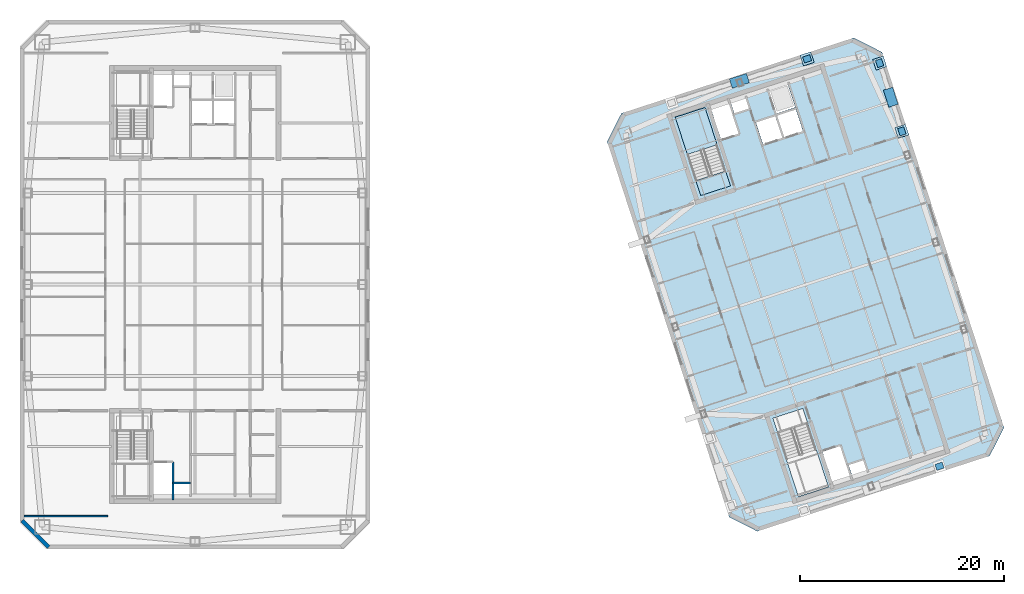
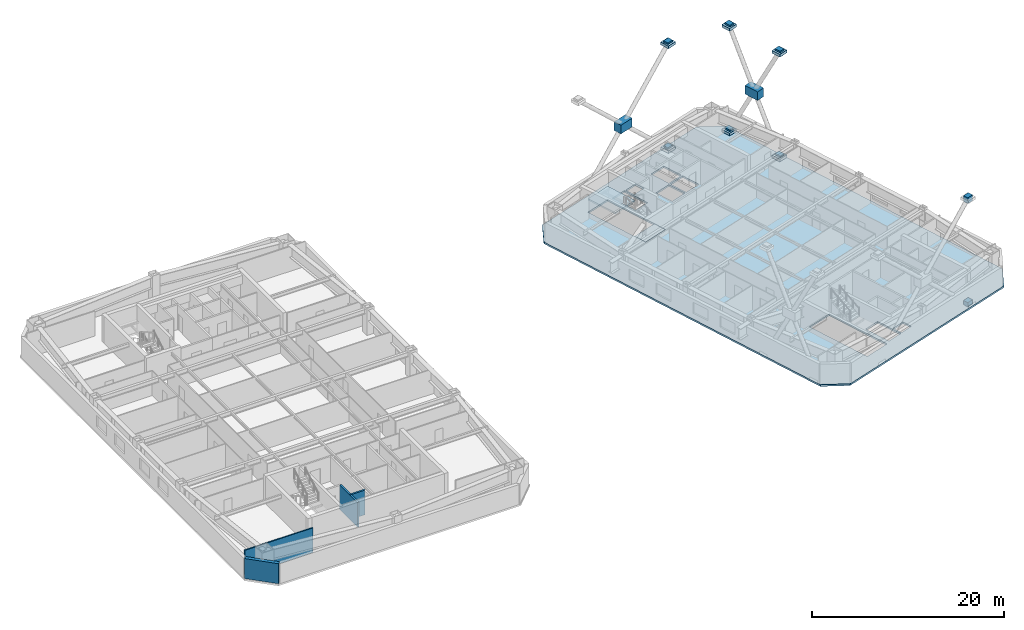
# One storey, part 5 of 15: 16 plates, 4 walls, 3 slabs, 1 element without a shape of its own.
"""IFC4 building model written with IfcOpenShell, lengths in metres."""

from ifc_helpers import new_model, si_unit, direction, frame, frame_2d, origin, origin_2d, place, context, subcontext, project, spatial, polyline, rectangle, outline, extrude, material, layer, layer_set, type_object, element, aggregate, save


model = new_model("IFC4")

# Units and contexts
model_context = context("Model", 3, precision=1e-05, world=origin(), true_north=direction((0.0, 1.0)))
body_context = subcontext(model_context, "Body", "Model", "MODEL_VIEW")
ifc_project = project(units=[si_unit("LENGTHUNIT", "METRE"), si_unit("AREAUNIT", "SQUARE_METRE"), si_unit("VOLUMEUNIT", "CUBIC_METRE"), si_unit("PLANEANGLEUNIT", "RADIAN"), si_unit("MASSUNIT", "GRAM", prefix="KILO")], contexts=[model_context])

# Site, building, storey
site_placement = place(None, origin())
site = spatial("IfcSite", under=ifc_project, at=site_placement, CompositionType="ELEMENT")
building_placement = place(site_placement, origin())
building = spatial("IfcBuilding", under=site, at=building_placement, Name="Qiaolan Cultural Towers", CompositionType="ELEMENT")
storey_placement = place(building_placement, frame((0.0, 0.0, 212.75)))
storey = spatial("IfcBuildingStorey", under=building, at=storey_placement, Name="L57", CompositionType="ELEMENT", Elevation=212.75)

# Plates
ifc_material_1 = material(Name="Steel Q355B", Category="steel")
ifc_layer_1 = layer(ifc_material_1, 0.035888671875)
ifc_layer_set_1 = layer_set([ifc_layer_1], Name="Steel Q355B")
plate_type_1 = type_object("IfcPlateType", Name="PL-CONN-36", PredefinedType="USERDEFINED", material=ifc_layer_set_1)
for number, where, z_axis, x_axis, name in (
    (1, (99.459228515625, 49.06005859375, -0.22021484375), (0.0, 0.0, 1.0), (-0.309016994375, 0.951056516295, 0.0), "L57 Brace End Connection Gusset Plate GP-02-0576"),
    (2, (97.280517578125, 55.76513671875, 13.1298828125), (0.0, 0.0, 1.0), (-0.309016994375, 0.951056516295, 0.0), "L57 Brace End Connection Gusset Plate GP-02-0577"),
    (3, (97.280517578125, 55.76513671875, -0.22021484375), (0.0, 0.0, 1.0), (-0.309016994375, 0.951056516295, 0.0), "L57 Brace End Connection Gusset Plate GP-02-0578"),
    (4, (99.459228515625, 49.06005859375, 13.1298828125), (0.0, 0.0, 1.0), (-0.309016994375, 0.951056516295, 0.0), "L57 Brace End Connection Gusset Plate GP-02-0579"),
    (5, (103.162109375, 16.143310546875, 13.1298828125), (0.0, 0.0, 1.0), (0.951056510902, 0.309017010974, 0.0), "L57 Brace End Connection Gusset Plate GP-02-0581"),
    (6, (103.162109375, 16.143310546875, -0.22021484375), (0.0, 0.0, 1.0), (0.951056510902, 0.309017010974, 0.0), "L57 Brace End Connection Gusset Plate GP-02-0582"),
    (7, (90.152587890625, 56.182861328125, 13.1298828125), (0.0, 0.0, 1.0), (0.951056510902, 0.309017010974, 0.0), "L57 Brace End Connection Gusset Plate GP-02-0585"),
    (8, (90.152587890625, 56.182861328125, -0.22021484375), (0.0, 0.0, 1.0), (0.951056510902, 0.309017010974, 0.0), "L57 Brace End Connection Gusset Plate GP-02-0586"),
):
    element("IfcPlate", number, at=place(storey_placement, frame(where, z_axis=z_axis, x_axis=x_axis)), inside=storey, type_object=plate_type_1, Name=name, ObjectType="GUSSET_PLATE", PredefinedType="USERDEFINED", context=body_context, shape_type="SweptSolid", body=[
        extrude(rectangle(XDim=0.739990234375, YDim=0.6201171875, at=origin_2d()), origin(), (0.0, 0.0, 1.0), 0.739990234375),
    ])
ifc_material_2 = material(Name="Steel Q355B", Category="steel")
ifc_layer_2 = layer(ifc_material_2, 0.030029296875)
ifc_layer_set_2 = layer_set([ifc_layer_2], Name="Steel Q355B")
plate_type_2 = type_object("IfcPlateType", Name="PL-ENDCAP-30", PredefinedType="USERDEFINED", material=ifc_layer_set_2)
for number, where, z_axis, x_axis, name in (
    (9, (99.459228515625, 49.06005859375, -0.025146484375), (0.0, 0.0, 1.0), (-0.309016994375, 0.951056516295, 0.0), "Hollow Brace End Seal Cap Plate CP-01"),
    (10, (97.280517578125, 55.76513671875, -0.025146484375), (0.0, 0.0, 1.0), (-0.309016994375, 0.951056516295, 0.0), "Hollow Brace End Seal Cap Plate CP-01"),
    (11, (99.459228515625, 49.06005859375, 13.324951171875), (0.0, 0.0, 1.0), (-0.309016994375, 0.951056516295, 0.0), "Hollow Brace End Seal Cap Plate CP-01"),
    (12, (97.280517578125, 55.76513671875, 13.324951171875), (0.0, 0.0, 1.0), (-0.309016994375, 0.951056516295, 0.0), "Hollow Brace End Seal Cap Plate CP-01"),
    (13, (90.152587890625, 56.182861328125, -0.025146484375), (0.0, 0.0, 1.0), (0.951056516295, 0.309016994375, 0.0), "Hollow Brace End Seal Cap Plate CP-01"),
    (14, (90.152587890625, 56.182861328125, 13.324951171875), (0.0, 0.0, 1.0), (0.951056516295, 0.309016994375, 0.0), "Hollow Brace End Seal Cap Plate CP-01"),
):
    element("IfcPlate", number, at=place(storey_placement, frame(where, z_axis=z_axis, x_axis=x_axis)), inside=storey, type_object=plate_type_2, Name=name, ObjectType="BASE_PLATE", PredefinedType="USERDEFINED", context=body_context, shape_type="SweptSolid", body=[
        extrude(rectangle(XDim=1.10009765625, YDim=1.10009765625, at=origin_2d()), origin(), (0.0, 0.0, 1.0), 0.35009765625),
    ])
ifc_material_3 = material(Name="Steel Q390GJB", Category="steel")
ifc_layer_3 = layer(ifc_material_3, 0.0419921875)
ifc_layer_set_3 = layer_set([ifc_layer_3], Name="Steel Q390GJB")
plate_type_3 = type_object("IfcPlateType", Name="PL-NODE-ND01", PredefinedType="USERDEFINED", material=ifc_layer_set_3)
plate_1_placement = place(storey_placement, frame((83.4951171875, 54.019775390625, 6.27490234375), z_axis=(0.0, 0.0, 1.0), x_axis=(0.951056516295, 0.309016994375, 0.0)))
element("IfcPlate", 15, at=plate_1_placement, inside=storey, type_object=plate_type_3, Name="Perimeter Frame Gusset Node Assembly ND-01", ObjectType="GUSSET_PLATE", PredefinedType="USERDEFINED", context=body_context, shape_type="SweptSolid", body=[
    extrude(rectangle(XDim=1.760009765625, YDim=0.9599609375, at=origin_2d()), origin(), (0.0, 0.0, 1.0), 1.10009765625),
])
ifc_material_4 = material(Name="Steel Q390GJB", Category="steel")
ifc_layer_4 = layer(ifc_material_4, 0.0458984375)
ifc_layer_set_4 = layer_set([ifc_layer_4], Name="Steel Q390GJB")
plate_type_4 = type_object("IfcPlateType", Name="PL-NODE-ND11", PredefinedType="USERDEFINED", material=ifc_layer_set_4)
plate_2_placement = place(storey_placement, frame((98.369873046875, 52.41259765625, 6.27490234375), z_axis=(0.0, 0.0, 1.0), x_axis=(-0.309016994375, 0.951056516295, 0.0)))
element("IfcPlate", 16, at=plate_2_placement, inside=storey, type_object=plate_type_4, Name="Perimeter Frame Gusset Node Assembly ND-11", ObjectType="GUSSET_PLATE", PredefinedType="USERDEFINED", context=body_context, shape_type="SweptSolid", body=[
    extrude(rectangle(XDim=1.760009765625, YDim=0.9599609375, at=origin_2d()), origin(), (0.0, 0.0, 1.0), 1.10009765625),
])

# Stair, slab
ifc_material_5 = material(Name="Concrete C45", Category="concrete")
stair_type = type_object("IfcStairType", Name="STR-CORE-1500", PredefinedType="HALF_TURN_STAIR", material=ifc_material_5)
stair_placement = place(storey_placement, origin())
stair = element("IfcStair", 17, at=stair_placement, inside=storey, type_object=stair_type, Name="L57 Smokeproof Exit Stair ST-E2", PredefinedType="HALF_TURN_STAIR")
ifc_material_6 = material(Name="Concrete C45", Category="concrete")
ifc_layer_5 = layer(ifc_material_6, 0.199951171875)
ifc_layer_set_5 = layer_set([ifc_layer_5], Name="Concrete C45")
slab_type_1 = type_object("IfcSlabType", Name="SL-STAIR-LAND", PredefinedType="LANDING", material=ifc_layer_set_5)
slab_1_placement = place(storey_placement, frame((0.0, 0.0, 1.52490234375)))
slab_1 = element("IfcSlab", 18, at=slab_1_placement, type_object=slab_type_1, Name="ST-E2 landing 1", PredefinedType="LANDING", context=body_context, shape_type="SweptSolid", body=[
    extrude(outline(polyline([(81.31005859375, 47.735595703125), (80.1201171875, 51.3984375), (77.190673828125, 50.44677734375), (78.380859375, 46.783935546875), (81.31005859375, 47.735595703125)])), origin(), (0.0, 0.0, 1.0), 0.2001953125),
])
aggregate(stair, [slab_1])

# Slabs
ifc_material_7 = material(Name="Concrete C40", Category="concrete")
ifc_layer_6 = layer(ifc_material_7, 0.360107421875)
ifc_layer_set_6 = layer_set([ifc_layer_6], Name="Concrete C40")
slab_type_2 = type_object("IfcSlabType", Name="SL-STFLR-360", PredefinedType="LANDING", material=ifc_layer_set_6)
slab_2_placement = place(storey_placement, frame((0.0, 0.0, -0.360107421875)))
element("IfcSlab", 19, at=slab_2_placement, inside=storey, type_object=slab_type_2, Name="L57 ST-E2 Stair Floor Landing Slab", PredefinedType="LANDING", context=body_context, shape_type="SweptSolid", body=[
    extrude(outline(polyline([(82.62060546875, 43.6962890625), (82.141845703125, 45.169677734375), (79.21630859375, 44.21923828125), (79.695068359375, 42.74560546875), (82.62060546875, 43.6962890625)])), origin(), (0.0, 0.0, 1.0), 0.360107421875),
])
ifc_material_8 = material(Name="Concrete C45", Category="concrete")
ifc_layer_7 = layer(ifc_material_8, 0.219970703125)
ifc_layer_set_7 = layer_set([ifc_layer_7], Name="Concrete C45")
slab_type_3 = type_object("IfcSlabType", Name="SL-TYP-220", PredefinedType="FLOOR", material=ifc_layer_set_7)
slab_3_placement = place(storey_placement, frame((0.0, 0.0, -0.219970703125)))
element("IfcSlab", 20, at=slab_3_placement, inside=storey, type_object=slab_type_3, Name="L57 East Tower Floor Slab", PredefinedType="FLOOR", context=body_context, shape_type="SweptSolid", body=[
    extrude(outline(polyline([(85.26220703125, 9.7490234375), (108.08740234375, 17.165283203125), (109.5, 19.9375), (97.510009765625, 56.838623046875), (94.73779296875, 58.2509765625), (71.91259765625, 50.834716796875), (70.5, 48.0625), (82.489990234375, 11.161376953125), (85.26220703125, 9.7490234375)]), holes=[polyline([(86.80126953125, 20.868896484375), (89.30419921875, 13.165283203125), (92.2333984375, 14.116943359375), (89.73046875, 21.820556640625), (86.80126953125, 20.868896484375)]), polyline([(82.623046875, 43.69482421875), (80.1201171875, 51.3984375), (77.190673828125, 50.44677734375), (79.69384765625, 42.7431640625), (82.623046875, 43.69482421875)]), polyline([(92.666259765625, 14.468017578125), (94.42578125, 15.03955078125), (93.42138671875, 18.130615234375), (91.661865234375, 17.558837890625), (92.666259765625, 14.468017578125)]), polyline([(94.5908203125, 15.14599609375), (96.027099609375, 15.612548828125), (95.66552734375, 16.725341796875), (94.2294921875, 16.258544921875), (94.5908203125, 15.14599609375)]), polyline([(81.6806640625, 48.278076171875), (83.440185546875, 48.849609375), (82.435791015625, 51.940673828125), (80.67626953125, 51.368896484375), (81.6806640625, 48.278076171875)]), polyline([(82.993408203125, 50.839111328125), (84.4296875, 51.3056640625), (84.068115234375, 52.41845703125), (82.632080078125, 51.95166015625), (82.993408203125, 50.839111328125)]), polyline([(85.810302734375, 47.80078125), (87.71240234375, 48.418701171875), (87.013916015625, 50.568115234375), (85.11181640625, 49.9501953125), (85.810302734375, 47.80078125)]), polyline([(87.902587890625, 48.480712890625), (89.74755859375, 49.080078125), (89.04931640625, 51.2294921875), (87.2041015625, 50.6298828125), (87.902587890625, 48.480712890625)]), polyline([(87.1455078125, 50.810791015625), (88.990478515625, 51.41015625), (88.22412109375, 53.768798828125), (86.379150390625, 53.169189453125), (87.1455078125, 50.810791015625)])]), origin(), (0.0, 0.0, 1.0), 0.219970703125),
])

# Walls
ifc_material_9 = material(Name="Precast Concrete C50 Honed Stone Pier", Category="masonry")
ifc_layer_8 = layer(ifc_material_9, 0.39990234375)
ifc_layer_set_8 = layer_set([ifc_layer_8], Name="Precast Concrete C50 Honed Stone Pier")
wall_type_1 = type_object("IfcWallType", Name="WL-EXT-PIER-400", PredefinedType="SOLIDWALL", material=ifc_layer_set_8)
wall_1_placement = place(storey_placement, frame((15.60009765625, 8.199951171875, 0.0), z_axis=(0.0, 0.0, 1.0), x_axis=(-0.707106781187, 0.707106781187, 0.0)))
element("IfcWall", 21, at=wall_1_placement, inside=storey, type_object=wall_type_1, Name="L57 West Tower Precast Pier Facade Wall F8", PredefinedType="SOLIDWALL", context=body_context, shape_type="SweptSolid", body=[
    extrude(rectangle(XDim=3.677001953125, YDim=0.39990234375, at=frame_2d((1.83837890625, 0.0))), origin(), (0.0, 0.0, 1.0), 2.550048828125),
])
ifc_material_10 = material(Name="Concrete C35 Fire Wall", Category="concrete")
ifc_layer_9 = layer(ifc_material_10, 0.199951171875)
ifc_layer_set_9 = layer_set([ifc_layer_9], Name="Concrete C35 Fire Wall")
wall_type_2 = type_object("IfcWallType", Name="WL-FIRE-200", PredefinedType="PARTITIONING", material=ifc_layer_set_9)
wall_2_placement = place(storey_placement, frame((27.820068359375, 16.550048828125, 0.0), z_axis=(0.0, 0.0, 1.0), x_axis=(0.0, -1.0, 0.0)))
element("IfcWall", 22, at=wall_2_placement, inside=storey, type_object=wall_type_2, Name="L57 T1-CS Firefighting Hoistway East Wall", PredefinedType="PARTITIONING", context=body_context, shape_type="SweptSolid", body=[
    extrude(rectangle(XDim=3.699951171875, YDim=0.199951171875, at=frame_2d((1.85009765625, 0.0))), origin(), (0.0, 0.0, 1.0), 3.155029296875),
])
wall_3_placement = place(storey_placement, frame((27.820068359375, 14.52001953125, 0.0), z_axis=(0.0, 0.0, 1.0), x_axis=(1.0, 0.0, 0.0)))
element("IfcWall", 23, at=wall_3_placement, inside=storey, type_object=wall_type_2, Name="L57 T1-CS Pressurization Shaft Front Wall", PredefinedType="PARTITIONING", context=body_context, shape_type="SweptSolid", body=[
    extrude(rectangle(XDim=1.72998046875, YDim=0.199951171875, at=frame_2d((0.864990234375, 0.0))), origin(), (0.0, 0.0, 1.0), 3.155029296875),
])
ifc_material_11 = material(Name="Autoclaved Aerated Concrete Block B06", Category="concrete")
ifc_layer_10 = layer(ifc_material_11, 0.14990234375)
ifc_layer_set_10 = layer_set([ifc_layer_10], Name="Autoclaved Aerated Concrete Block B06")
wall_type_3 = type_object("IfcWallType", Name="WL-PART-150", PredefinedType="PARTITIONING", material=ifc_layer_set_10)
wall_4_placement = place(storey_placement, frame((13.199951171875, 11.25, 0.0), z_axis=(0.0, 0.0, 1.0), x_axis=(1.0, 0.0, 0.0)))
element("IfcWall", 24, at=wall_4_placement, inside=storey, type_object=wall_type_3, Name="L57 T1 Flank Wall FLK-SW", PredefinedType="PARTITIONING", context=body_context, shape_type="SweptSolid", body=[
    extrude(rectangle(XDim=8.199951171875, YDim=0.14990234375, at=frame_2d((4.10009765625, 0.0))), origin(), (0.0, 0.0, 1.0), 3.155029296875),
])

save(model, "model.ifc")
